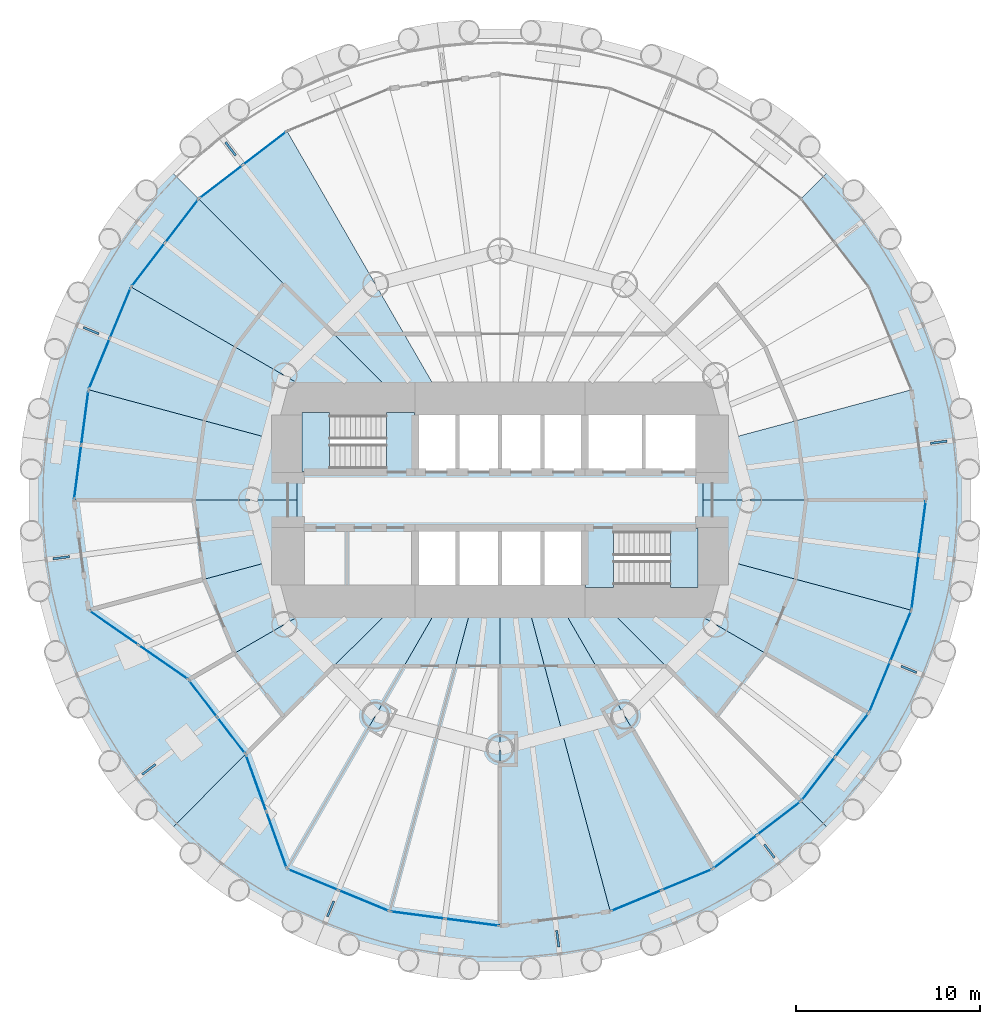
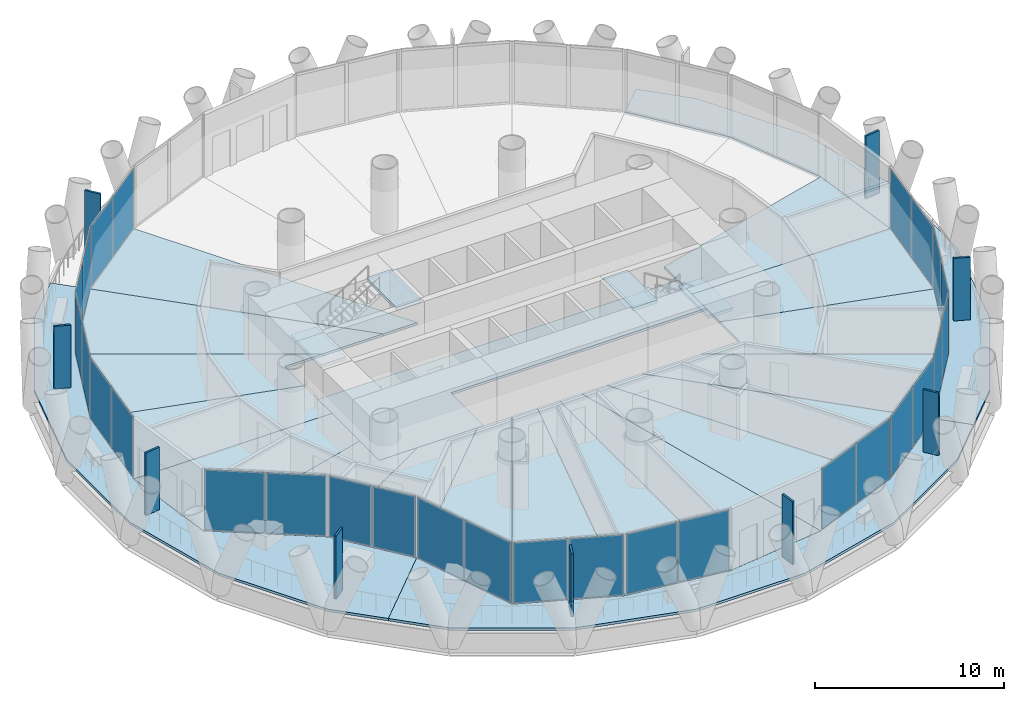
# One storey, part 7 of 14: 37 plates, 25 slabs, 16 elements without a shape of their own.
"""IFC4 building model written with IfcOpenShell, lengths in metres."""

from ifc_helpers import new_model, si_unit, direction, frame, origin, origin_2d, place, context, subcontext, project, spatial, polyline, rectangle, outline, extrude, material, layer, layer_set, type_object, element, aggregate, save


model = new_model("IFC4")

# Units and contexts
model_context = context("Model", 3, precision=1e-05, world=origin(), true_north=direction((0.0, 1.0)))
body_context = subcontext(model_context, "Body", "Model", "MODEL_VIEW")
ifc_project = project(units=[si_unit("LENGTHUNIT", "METRE"), si_unit("AREAUNIT", "SQUARE_METRE"), si_unit("VOLUMEUNIT", "CUBIC_METRE"), si_unit("PLANEANGLEUNIT", "RADIAN"), si_unit("MASSUNIT", "GRAM", prefix="KILO")], contexts=[model_context])

# Site, building, storey
site_placement = place(None, origin())
site = spatial("IfcSite", under=ifc_project, at=site_placement, CompositionType="ELEMENT")
building_placement = place(site_placement, origin())
building = spatial("IfcBuilding", under=site, at=building_placement, Name="Qaws Media Tower", CompositionType="ELEMENT")
storey_placement = place(building_placement, frame((0.0, 0.0, 84.800048828125)))
storey = spatial("IfcBuildingStorey", under=building, at=storey_placement, Name="L18", CompositionType="ELEMENT", Elevation=84.800048828125)

# Slabs
ifc_material_1 = material(Name="Concrete C35/45", Category="concrete")
ifc_layer_1 = layer(ifc_material_1, 0.159912109375)
ifc_layer_set_1 = layer_set([ifc_layer_1], Name="Composite balcony slab 160")
slab_type_1 = type_object("IfcSlabType", Name="Composite balcony slab 160", PredefinedType="FLOOR", material=ifc_layer_set_1)
slab_1_placement = place(storey_placement, frame((0.0, 0.0, -0.16015625)))
element("IfcSlab", 1, at=slab_1_placement, inside=storey, type_object=slab_type_1, Name="S2 balcony slab L18 R10 to R16, movement joints on R10 and R16", PredefinedType="FLOOR", context=body_context, shape_type="SweptSolid", body=[
    extrude(outline(polyline([(39.76953125, 34.4765625), (36.441162109375, 40.24169921875), (34.71826171875, 46.671630859375), (34.71826171875, 53.328369140625), (36.441162109375, 59.75830078125), (39.76953125, 65.5234375), (42.123046875, 67.876953125), (43.665771484375, 66.334228515625), (39.994873046875, 61.550048828125), (37.68701171875, 55.978759765625), (36.89990234375, 50.0), (37.68701171875, 44.021240234375), (43.112548828125, 40.25), (46.21142578125, 36.21142578125), (42.123046875, 32.123046875), (39.76953125, 34.4765625)])), origin(), (0.0, 0.0, 1.0), 0.16015625),
])
slab_2_placement = place(storey_placement, frame((0.0, 0.0, -0.16015625)))
element("IfcSlab", 2, at=slab_2_placement, inside=storey, type_object=slab_type_1, Name="S2 balcony slab L18 R16 to R22, movement joints on R16 and R22", PredefinedType="FLOOR", context=body_context, shape_type="SweptSolid", body=[
    extrude(outline(polyline([(75.5234375, 29.76953125), (69.75830078125, 26.441162109375), (63.328369140625, 24.71826171875), (56.671630859375, 24.71826171875), (50.24169921875, 26.441162109375), (44.4765625, 29.76953125), (42.123046875, 32.123046875), (46.21142578125, 36.21142578125), (48.449951171875, 29.994873046875), (54.021240234375, 27.68701171875), (60.0, 26.89990234375), (65.978759765625, 27.68701171875), (71.550048828125, 29.994873046875), (76.334228515625, 33.665771484375), (77.876953125, 32.123046875), (75.5234375, 29.76953125)])), origin(), (0.0, 0.0, 1.0), 0.16015625),
])
slab_3_placement = place(storey_placement, frame((0.0, 0.0, -0.16015625)))
element("IfcSlab", 3, at=slab_3_placement, inside=storey, type_object=slab_type_1, Name="S2 balcony slab L18 R22 to R04, movement joints on R22 and R04", PredefinedType="FLOOR", context=body_context, shape_type="SweptSolid", body=[
    extrude(outline(polyline([(83.558837890625, 40.24169921875), (80.23046875, 34.4765625), (77.876953125, 32.123046875), (76.334228515625, 33.665771484375), (80.005126953125, 38.449951171875), (82.31298828125, 44.021240234375), (83.10009765625, 50.0), (82.31298828125, 55.978759765625), (80.005126953125, 61.550048828125), (76.334228515625, 66.334228515625), (77.876953125, 67.876953125), (80.23046875, 65.5234375), (83.558837890625, 59.75830078125), (85.28173828125, 53.328369140625), (85.28173828125, 46.671630859375), (83.558837890625, 40.24169921875)])), origin(), (0.0, 0.0, 1.0), 0.16015625),
])
ifc_material_2 = material(Name="Concrete C35/45", Category="concrete")
ifc_layer_2 = layer(ifc_material_2, 0.159912109375)
ifc_layer_set_2 = layer_set([ifc_layer_2], Name="Composite floor slab 160")
slab_type_2 = type_object("IfcSlabType", Name="Composite floor slab 160", PredefinedType="FLOOR", material=ifc_layer_set_2)
slab_4_placement = place(storey_placement, frame((0.0, 0.0, -0.16015625)))
element("IfcSlab", 4, at=slab_4_placement, inside=storey, type_object=slab_type_2, Name="S1 core floor slab L18", PredefinedType="FLOOR", context=body_context, shape_type="SweptSolid", body=[
    extrude(outline(polyline([(71.0, 51.5), (71.0, 48.5), (55.39990234375, 48.5), (55.39990234375, 45.0), (49.0, 45.0), (49.0, 51.5), (71.0, 51.5)])), origin(), (0.0, 0.0, 1.0), 0.16015625),
])
slab_5_placement = place(storey_placement, frame((0.0, 0.0, -0.16015625)))
element("IfcSlab", 5, at=slab_5_placement, inside=storey, type_object=slab_type_2, Name="S1 floor panel L18 on R01+7.5", PredefinedType="FLOOR", context=body_context, shape_type="SweptSolid", body=[
    extrude(outline(polyline([(82.31298828125, 55.978759765625), (83.10009765625, 50.0), (71.0, 50.0), (71.0, 52.947509765625), (82.31298828125, 55.978759765625)])), origin(), (0.0, 0.0, 1.0), 0.16015625),
])
slab_6_placement = place(storey_placement, frame((0.0, 0.0, -0.16015625)))
element("IfcSlab", 6, at=slab_6_placement, inside=storey, type_object=slab_type_2, Name="S1 floor panel L18 on R09+7.5", PredefinedType="FLOOR", context=body_context, shape_type="SweptSolid", body=[
    extrude(outline(polyline([(48.449951171875, 70.005126953125), (57.11328125, 55.0), (55.0, 55.0), (43.665771484375, 66.334228515625), (48.449951171875, 70.005126953125)])), origin(), (0.0, 0.0, 1.0), 0.16015625),
])
slab_7_placement = place(storey_placement, frame((0.0, 0.0, -0.16015625)))
element("IfcSlab", 7, at=slab_7_placement, inside=storey, type_object=slab_type_2, Name="S1 floor panel L18 on R10+7.5", PredefinedType="FLOOR", context=body_context, shape_type="SweptSolid", body=[
    extrude(outline(polyline([(39.994873046875, 61.550048828125), (43.665771484375, 66.334228515625), (55.0, 55.0), (51.339599609375, 55.0), (39.994873046875, 61.550048828125)])), origin(), (0.0, 0.0, 1.0), 0.16015625),
])
slab_8_placement = place(storey_placement, frame((0.0, 0.0, -0.16015625)))
element("IfcSlab", 8, at=slab_8_placement, inside=storey, type_object=slab_type_2, Name="S1 floor panel L18 on R11+7.5", PredefinedType="FLOOR", context=body_context, shape_type="SweptSolid", body=[
    extrude(outline(polyline([(37.68701171875, 55.978759765625), (39.994873046875, 61.550048828125), (51.339599609375, 55.0), (49.0, 55.0), (49.0, 52.947509765625), (37.68701171875, 55.978759765625)])), origin(), (0.0, 0.0, 1.0), 0.16015625),
])
slab_9_placement = place(storey_placement, frame((0.0, 0.0, -0.16015625)))
element("IfcSlab", 9, at=slab_9_placement, inside=storey, type_object=slab_type_2, Name="S1 floor panel L18 on R12+7.5", PredefinedType="FLOOR", context=body_context, shape_type="SweptSolid", body=[
    extrude(outline(polyline([(37.68701171875, 55.978759765625), (49.0, 52.947509765625), (49.0, 50.0), (36.89990234375, 50.0), (37.68701171875, 55.978759765625)])), origin(), (0.0, 0.0, 1.0), 0.16015625),
])
slab_10_placement = place(storey_placement, frame((0.0, 0.0, -0.16015625)))
element("IfcSlab", 10, at=slab_10_placement, inside=storey, type_object=slab_type_2, Name="S1 floor panel L18 on R13+7.5", PredefinedType="FLOOR", context=body_context, shape_type="SweptSolid", body=[
    extrude(outline(polyline([(37.68701171875, 44.021240234375), (36.89990234375, 50.0), (49.0, 50.0), (49.0, 47.052490234375), (37.68701171875, 44.021240234375)])), origin(), (0.0, 0.0, 1.0), 0.16015625),
])
slab_11_placement = place(storey_placement, frame((0.0, 0.0, -0.16015625)))
element("IfcSlab", 11, at=slab_11_placement, inside=storey, type_object=slab_type_2, Name="S1 floor panel L18 on R14+7.5", PredefinedType="FLOOR", context=body_context, shape_type="SweptSolid", body=[
    extrude(outline(polyline([(37.68701171875, 44.021240234375), (49.0, 47.052490234375), (49.0, 45.0), (51.339599609375, 45.0), (43.112548828125, 40.25), (37.68701171875, 44.021240234375)])), origin(), (0.0, 0.0, 1.0), 0.16015625),
])
slab_12_placement = place(storey_placement, frame((0.0, 0.0, -0.16015625)))
element("IfcSlab", 12, at=slab_12_placement, inside=storey, type_object=slab_type_2, Name="S1 floor panel L18 on R15+7.5", PredefinedType="FLOOR", context=body_context, shape_type="SweptSolid", body=[
    extrude(outline(polyline([(43.112548828125, 40.25), (51.339599609375, 45.0), (55.0, 45.0), (46.21142578125, 36.21142578125), (43.112548828125, 40.25)])), origin(), (0.0, 0.0, 1.0), 0.16015625),
])
slab_13_placement = place(storey_placement, frame((0.0, 0.0, -0.16015625)))
element("IfcSlab", 13, at=slab_13_placement, inside=storey, type_object=slab_type_2, Name="S1 floor panel L18 on R16+7.5", PredefinedType="FLOOR", context=body_context, shape_type="SweptSolid", body=[
    extrude(outline(polyline([(46.21142578125, 36.21142578125), (55.0, 45.0), (57.11328125, 45.0), (48.449951171875, 29.994873046875), (46.21142578125, 36.21142578125)])), origin(), (0.0, 0.0, 1.0), 0.16015625),
])
slab_14_placement = place(storey_placement, frame((0.0, 0.0, -0.16015625)))
element("IfcSlab", 14, at=slab_14_placement, inside=storey, type_object=slab_type_2, Name="S1 floor panel L18 on R17+7.5", PredefinedType="FLOOR", context=body_context, shape_type="SweptSolid", body=[
    extrude(outline(polyline([(48.449951171875, 29.994873046875), (57.11328125, 45.0), (58.660400390625, 45.0), (54.021240234375, 27.68701171875), (48.449951171875, 29.994873046875)])), origin(), (0.0, 0.0, 1.0), 0.16015625),
])
slab_15_placement = place(storey_placement, frame((0.0, 0.0, -0.16015625)))
element("IfcSlab", 15, at=slab_15_placement, inside=storey, type_object=slab_type_2, Name="S1 floor panel L18 on R18+7.5", PredefinedType="FLOOR", context=body_context, shape_type="SweptSolid", body=[
    extrude(outline(polyline([(54.021240234375, 27.68701171875), (58.660400390625, 45.0), (60.0, 45.0), (60.0, 26.89990234375), (54.021240234375, 27.68701171875)])), origin(), (0.0, 0.0, 1.0), 0.16015625),
])
slab_16_placement = place(storey_placement, frame((0.0, 0.0, -0.16015625)))
element("IfcSlab", 16, at=slab_16_placement, inside=storey, type_object=slab_type_2, Name="S1 floor panel L18 on R19+7.5", PredefinedType="FLOOR", context=body_context, shape_type="SweptSolid", body=[
    extrude(outline(polyline([(65.978759765625, 27.68701171875), (60.0, 26.89990234375), (60.0, 45.0), (61.339599609375, 45.0), (65.978759765625, 27.68701171875)])), origin(), (0.0, 0.0, 1.0), 0.16015625),
])
slab_17_placement = place(storey_placement, frame((0.0, 0.0, -0.16015625)))
element("IfcSlab", 17, at=slab_17_placement, inside=storey, type_object=slab_type_2, Name="S1 floor panel L18 on R20+7.5", PredefinedType="FLOOR", context=body_context, shape_type="SweptSolid", body=[
    extrude(outline(polyline([(71.550048828125, 29.994873046875), (65.978759765625, 27.68701171875), (61.339599609375, 45.0), (62.88671875, 45.0), (71.550048828125, 29.994873046875)])), origin(), (0.0, 0.0, 1.0), 0.16015625),
])
slab_18_placement = place(storey_placement, frame((0.0, 0.0, -0.16015625)))
element("IfcSlab", 18, at=slab_18_placement, inside=storey, type_object=slab_type_2, Name="S1 floor panel L18 on R21+7.5", PredefinedType="FLOOR", context=body_context, shape_type="SweptSolid", body=[
    extrude(outline(polyline([(76.334228515625, 33.665771484375), (71.550048828125, 29.994873046875), (62.88671875, 45.0), (65.0, 45.0), (76.334228515625, 33.665771484375)])), origin(), (0.0, 0.0, 1.0), 0.16015625),
])
slab_19_placement = place(storey_placement, frame((0.0, 0.0, -0.16015625)))
element("IfcSlab", 19, at=slab_19_placement, inside=storey, type_object=slab_type_2, Name="S1 floor panel L18 on R22+7.5", PredefinedType="FLOOR", context=body_context, shape_type="SweptSolid", body=[
    extrude(outline(polyline([(76.334228515625, 33.665771484375), (65.0, 45.0), (68.660400390625, 45.0), (80.005126953125, 38.449951171875), (76.334228515625, 33.665771484375)])), origin(), (0.0, 0.0, 1.0), 0.16015625),
])
slab_20_placement = place(storey_placement, frame((0.0, 0.0, -0.16015625)))
element("IfcSlab", 20, at=slab_20_placement, inside=storey, type_object=slab_type_2, Name="S1 floor panel L18 on R23+7.5", PredefinedType="FLOOR", context=body_context, shape_type="SweptSolid", body=[
    extrude(outline(polyline([(82.31298828125, 44.021240234375), (80.005126953125, 38.449951171875), (68.660400390625, 45.0), (71.0, 45.0), (71.0, 47.052490234375), (82.31298828125, 44.021240234375)])), origin(), (0.0, 0.0, 1.0), 0.16015625),
])
slab_21_placement = place(storey_placement, frame((0.0, 0.0, -0.16015625)))
element("IfcSlab", 21, at=slab_21_placement, inside=storey, type_object=slab_type_2, Name="S1 floor panel L18 on R24+7.5", PredefinedType="FLOOR", context=body_context, shape_type="SweptSolid", body=[
    extrude(outline(polyline([(82.31298828125, 44.021240234375), (71.0, 47.052490234375), (71.0, 50.0), (83.10009765625, 50.0), (82.31298828125, 44.021240234375)])), origin(), (0.0, 0.0, 1.0), 0.16015625),
])

# Curtain wall, plates
ifc_material_3 = material(Name="Aluminium and clear glass", Category="aluminium")
curtain_wall_type_1 = type_object("IfcCurtainWallType", Name="Unitised curtain wall CW-A", PredefinedType="NOTDEFINED", material=ifc_material_3)
curtain_wall_1_placement = place(storey_placement, origin())
curtain_wall_1 = element("IfcCurtainWall", 22, at=curtain_wall_1_placement, inside=storey, type_object=curtain_wall_type_1, Name="CWA curtain wall L18-09", PredefinedType="NOTDEFINED")
ifc_material_4 = material(Name="Clear laminated double glazing", Category="glass")
ifc_layer_3 = layer(ifc_material_4, 0.031982421875)
ifc_layer_set_3 = layer_set([ifc_layer_3], Name="Curtain wall glass unit 32")
plate_type_1 = type_object("IfcPlateType", Name="Curtain wall glass unit 32", PredefinedType="CURTAIN_PANEL", material=ifc_layer_set_3)
plate_1_placement = place(storey_placement, frame((47.238037109375, 69.0751953125, 0.080078125), z_axis=(0.0, 0.0, 1.0), x_axis=(-0.79335337666, -0.608761381612, 0.0)))
plate_1 = element("IfcPlate", 23, at=plate_1_placement, type_object=plate_type_1, Name="CWA panel 1.1", PredefinedType="CURTAIN_PANEL", context=body_context, shape_type="SweptSolid", body=[
    extrude(rectangle(XDim=2.895263671875, YDim=0.031982421875, at=origin_2d()), origin(), (0.0, 0.0, 1.0), 3.8798828125),
])
plate_2_placement = place(storey_placement, frame((44.877685546875, 67.26416015625, 0.080078125), z_axis=(0.0, 0.0, 1.0), x_axis=(-0.79335337666, -0.608761381612, 0.0)))
plate_2 = element("IfcPlate", 24, at=plate_2_placement, type_object=plate_type_1, Name="CWA panel 2.1", PredefinedType="CURTAIN_PANEL", context=body_context, shape_type="SweptSolid", body=[
    extrude(rectangle(XDim=2.895263671875, YDim=0.031982421875, at=origin_2d()), origin(), (0.0, 0.0, 1.0), 3.8798828125),
])
aggregate(curtain_wall_1, [plate_1, plate_2])

curtain_wall_2_placement = place(storey_placement, origin())
curtain_wall_2 = element("IfcCurtainWall", 25, at=curtain_wall_2_placement, inside=storey, type_object=curtain_wall_type_1, Name="CWA curtain wall L18-10", PredefinedType="NOTDEFINED")
plate_3_placement = place(storey_placement, frame((42.73583984375, 65.122314453125, 0.080078125), z_axis=(0.0, 0.0, 1.0), x_axis=(-0.608761381612, -0.79335337666, 0.0)))
plate_3 = element("IfcPlate", 26, at=plate_3_placement, type_object=plate_type_1, Name="CWA panel 1.1", PredefinedType="CURTAIN_PANEL", context=body_context, shape_type="SweptSolid", body=[
    extrude(rectangle(XDim=2.895263671875, YDim=0.031982421875, at=origin_2d()), origin(), (0.0, 0.0, 1.0), 3.8798828125),
])
plate_4_placement = place(storey_placement, frame((40.9248046875, 62.761962890625, 0.080078125), z_axis=(0.0, 0.0, 1.0), x_axis=(-0.608761381612, -0.79335337666, 0.0)))
plate_4 = element("IfcPlate", 27, at=plate_4_placement, type_object=plate_type_1, Name="CWA panel 2.1", PredefinedType="CURTAIN_PANEL", context=body_context, shape_type="SweptSolid", body=[
    extrude(rectangle(XDim=2.895263671875, YDim=0.031982421875, at=origin_2d()), origin(), (0.0, 0.0, 1.0), 3.8798828125),
])
aggregate(curtain_wall_2, [plate_3, plate_4])

curtain_wall_3_placement = place(storey_placement, origin())
curtain_wall_3 = element("IfcCurtainWall", 28, at=curtain_wall_3_placement, inside=storey, type_object=curtain_wall_type_1, Name="CWA curtain wall L18-11", PredefinedType="NOTDEFINED")
plate_5_placement = place(storey_placement, frame((39.41015625, 60.138671875, 0.080078125), z_axis=(0.0, 0.0, 1.0), x_axis=(-0.382683469758, -0.923879517022, 0.0)))
plate_5 = element("IfcPlate", 29, at=plate_5_placement, type_object=plate_type_1, Name="CWA panel 1.1", PredefinedType="CURTAIN_PANEL", context=body_context, shape_type="SweptSolid", body=[
    extrude(rectangle(XDim=2.895263671875, YDim=0.031982421875, at=origin_2d()), origin(), (0.0, 0.0, 1.0), 3.8798828125),
])
plate_6_placement = place(storey_placement, frame((38.271728515625, 57.39013671875, 0.080078125), z_axis=(0.0, 0.0, 1.0), x_axis=(-0.382683469758, -0.923879517022, 0.0)))
plate_6 = element("IfcPlate", 30, at=plate_6_placement, type_object=plate_type_1, Name="CWA panel 2.1", PredefinedType="CURTAIN_PANEL", context=body_context, shape_type="SweptSolid", body=[
    extrude(rectangle(XDim=2.895263671875, YDim=0.031982421875, at=origin_2d()), origin(), (0.0, 0.0, 1.0), 3.8798828125),
])
aggregate(curtain_wall_3, [plate_5, plate_6])

curtain_wall_4_placement = place(storey_placement, origin())
curtain_wall_4 = element("IfcCurtainWall", 31, at=curtain_wall_4_placement, inside=storey, type_object=curtain_wall_type_1, Name="CWA curtain wall L18-12", PredefinedType="NOTDEFINED")
plate_7_placement = place(storey_placement, frame((37.48779296875, 54.464111328125, 0.080078125), z_axis=(0.0, 0.0, 1.0), x_axis=(-0.130526123696, -0.991444870395, 0.0)))
plate_7 = element("IfcPlate", 32, at=plate_7_placement, type_object=plate_type_1, Name="CWA panel 1.1", PredefinedType="CURTAIN_PANEL", context=body_context, shape_type="SweptSolid", body=[
    extrude(rectangle(XDim=2.895263671875, YDim=0.031982421875, at=origin_2d()), origin(), (0.0, 0.0, 1.0), 3.8798828125),
])
plate_8_placement = place(storey_placement, frame((37.099365234375, 51.514404296875, 0.080078125), z_axis=(0.0, 0.0, 1.0), x_axis=(-0.130526123696, -0.991444870395, 0.0)))
plate_8 = element("IfcPlate", 33, at=plate_8_placement, type_object=plate_type_1, Name="CWA panel 2.1", PredefinedType="CURTAIN_PANEL", context=body_context, shape_type="SweptSolid", body=[
    extrude(rectangle(XDim=2.895263671875, YDim=0.031982421875, at=origin_2d()), origin(), (0.0, 0.0, 1.0), 3.8798828125),
])
aggregate(curtain_wall_4, [plate_7, plate_8])

ifc_material_5 = material(Name="Aluminium and clear glass", Category="aluminium")
curtain_wall_type_2 = type_object("IfcCurtainWallType", Name="Loggia curtain wall CW-G", PredefinedType="NOTDEFINED", material=ifc_material_5)
curtain_wall_5_placement = place(storey_placement, origin())
curtain_wall_5 = element("IfcCurtainWall", 34, at=curtain_wall_5_placement, inside=storey, type_object=curtain_wall_type_2, Name="CWG curtain wall L18-14", PredefinedType="NOTDEFINED")
plate_9_placement = place(storey_placement, frame((39.059814453125, 43.067138671875, 0.080078125), z_axis=(0.0, 0.0, 1.0), x_axis=(0.821111308902, -0.570768095108, 0.0)))
plate_9 = element("IfcPlate", 35, at=plate_9_placement, type_object=plate_type_1, Name="CWG panel 1.1", PredefinedType="CURTAIN_PANEL", context=body_context, shape_type="SweptSolid", body=[
    extrude(rectangle(XDim=3.18359375, YDim=0.031982421875, at=origin_2d()), origin(), (0.0, 0.0, 1.0), 3.8798828125),
])
plate_10_placement = place(storey_placement, frame((41.73974609375, 41.204345703125, 0.080078125), z_axis=(0.0, 0.0, 1.0), x_axis=(0.821111308902, -0.570768095108, 0.0)))
plate_10 = element("IfcPlate", 36, at=plate_10_placement, type_object=plate_type_1, Name="CWG panel 2.1", PredefinedType="CURTAIN_PANEL", context=body_context, shape_type="SweptSolid", body=[
    extrude(rectangle(XDim=3.18359375, YDim=0.031982421875, at=origin_2d()), origin(), (0.0, 0.0, 1.0), 3.8798828125),
])
aggregate(curtain_wall_5, [plate_9, plate_10])

curtain_wall_6_placement = place(storey_placement, origin())
curtain_wall_6 = element("IfcCurtainWall", 37, at=curtain_wall_6_placement, inside=storey, type_object=curtain_wall_type_2, Name="CWG curtain wall L18-15", PredefinedType="NOTDEFINED")
plate_11_placement = place(storey_placement, frame((43.8994140625, 39.224609375, 0.080078125), z_axis=(0.0, 0.0, 1.0), x_axis=(0.60876143373, -0.793353336668, 0.0)))
plate_11 = element("IfcPlate", 38, at=plate_11_placement, type_object=plate_type_1, Name="CWG panel 1.1", PredefinedType="CURTAIN_PANEL", context=body_context, shape_type="SweptSolid", body=[
    extrude(rectangle(XDim=2.42529296875, YDim=0.031982421875, at=origin_2d()), origin(), (0.0, 0.0, 1.0), 3.8798828125),
])
plate_12_placement = place(storey_placement, frame((45.424560546875, 37.23681640625, 0.080078125), z_axis=(0.0, 0.0, 1.0), x_axis=(0.60876143373, -0.793353336668, 0.0)))
plate_12 = element("IfcPlate", 39, at=plate_12_placement, type_object=plate_type_1, Name="CWG panel 2.1", PredefinedType="CURTAIN_PANEL", context=body_context, shape_type="SweptSolid", body=[
    extrude(rectangle(XDim=2.42529296875, YDim=0.031982421875, at=origin_2d()), origin(), (0.0, 0.0, 1.0), 3.8798828125),
])
aggregate(curtain_wall_6, [plate_11, plate_12])

curtain_wall_7_placement = place(storey_placement, origin())
curtain_wall_7 = element("IfcCurtainWall", 40, at=curtain_wall_7_placement, inside=storey, type_object=curtain_wall_type_2, Name="CWG curtain wall L18-16", PredefinedType="NOTDEFINED")
plate_13_placement = place(storey_placement, frame((46.77783203125, 34.638427734375, 0.080078125), z_axis=(0.0, 0.0, 1.0), x_axis=(0.338800418913, -0.940858265705, 0.0)))
plate_13 = element("IfcPlate", 41, at=plate_13_placement, type_object=plate_type_1, Name="CWG panel 1.1", PredefinedType="CURTAIN_PANEL", context=body_context, shape_type="SweptSolid", body=[
    extrude(rectangle(XDim=3.18359375, YDim=0.031982421875, at=origin_2d()), origin(), (0.0, 0.0, 1.0), 3.8798828125),
])
plate_14_placement = place(storey_placement, frame((47.883544921875, 31.56787109375, 0.080078125), z_axis=(0.0, 0.0, 1.0), x_axis=(0.338800418913, -0.940858265705, 0.0)))
plate_14 = element("IfcPlate", 42, at=plate_14_placement, type_object=plate_type_1, Name="CWG panel 2.1", PredefinedType="CURTAIN_PANEL", context=body_context, shape_type="SweptSolid", body=[
    extrude(rectangle(XDim=3.18359375, YDim=0.031982421875, at=origin_2d()), origin(), (0.0, 0.0, 1.0), 3.8798828125),
])
aggregate(curtain_wall_7, [plate_13, plate_14])

curtain_wall_8_placement = place(storey_placement, origin())
curtain_wall_8 = element("IfcCurtainWall", 43, at=curtain_wall_8_placement, inside=storey, type_object=curtain_wall_type_1, Name="CWA curtain wall L18-17", PredefinedType="NOTDEFINED")
plate_15_placement = place(storey_placement, frame((49.861328125, 29.41015625, 0.080078125), z_axis=(0.0, 0.0, 1.0), x_axis=(0.923879517022, -0.382683469758, 0.0)))
plate_15 = element("IfcPlate", 44, at=plate_15_placement, type_object=plate_type_1, Name="CWA panel 1.1", PredefinedType="CURTAIN_PANEL", context=body_context, shape_type="SweptSolid", body=[
    extrude(rectangle(XDim=2.895263671875, YDim=0.031982421875, at=origin_2d()), origin(), (0.0, 0.0, 1.0), 3.8798828125),
])
plate_16_placement = place(storey_placement, frame((52.60986328125, 28.271728515625, 0.080078125), z_axis=(0.0, 0.0, 1.0), x_axis=(0.923879517022, -0.382683469758, 0.0)))
plate_16 = element("IfcPlate", 45, at=plate_16_placement, type_object=plate_type_1, Name="CWA panel 2.1", PredefinedType="CURTAIN_PANEL", context=body_context, shape_type="SweptSolid", body=[
    extrude(rectangle(XDim=2.895263671875, YDim=0.031982421875, at=origin_2d()), origin(), (0.0, 0.0, 1.0), 3.8798828125),
])
aggregate(curtain_wall_8, [plate_15, plate_16])

curtain_wall_9_placement = place(storey_placement, origin())
curtain_wall_9 = element("IfcCurtainWall", 46, at=curtain_wall_9_placement, inside=storey, type_object=curtain_wall_type_1, Name="CWA curtain wall L18-18", PredefinedType="NOTDEFINED")
plate_17_placement = place(storey_placement, frame((55.535888671875, 27.48779296875, 0.080078125), z_axis=(0.0, 0.0, 1.0), x_axis=(0.991444870395, -0.130526123696, 0.0)))
plate_17 = element("IfcPlate", 47, at=plate_17_placement, type_object=plate_type_1, Name="CWA panel 1.1", PredefinedType="CURTAIN_PANEL", context=body_context, shape_type="SweptSolid", body=[
    extrude(rectangle(XDim=2.895263671875, YDim=0.031982421875, at=origin_2d()), origin(), (0.0, 0.0, 1.0), 3.8798828125),
])
plate_18_placement = place(storey_placement, frame((58.485595703125, 27.099365234375, 0.080078125), z_axis=(0.0, 0.0, 1.0), x_axis=(0.991444870395, -0.130526123696, 0.0)))
plate_18 = element("IfcPlate", 48, at=plate_18_placement, type_object=plate_type_1, Name="CWA panel 2.1", PredefinedType="CURTAIN_PANEL", context=body_context, shape_type="SweptSolid", body=[
    extrude(rectangle(XDim=2.895263671875, YDim=0.031982421875, at=origin_2d()), origin(), (0.0, 0.0, 1.0), 3.8798828125),
])
aggregate(curtain_wall_9, [plate_17, plate_18])

curtain_wall_10_placement = place(storey_placement, origin())
curtain_wall_10 = element("IfcCurtainWall", 49, at=curtain_wall_10_placement, inside=storey, type_object=curtain_wall_type_1, Name="CWA curtain wall L18-20", PredefinedType="NOTDEFINED")
plate_19_placement = place(storey_placement, frame((67.39013671875, 28.271728515625, 0.080078125), z_axis=(0.0, 0.0, 1.0), x_axis=(0.923879517022, 0.382683469758, 0.0)))
plate_19 = element("IfcPlate", 50, at=plate_19_placement, type_object=plate_type_1, Name="CWA panel 1.1", PredefinedType="CURTAIN_PANEL", context=body_context, shape_type="SweptSolid", body=[
    extrude(rectangle(XDim=2.895263671875, YDim=0.031982421875, at=origin_2d()), origin(), (0.0, 0.0, 1.0), 3.8798828125),
])
plate_20_placement = place(storey_placement, frame((70.138671875, 29.41015625, 0.080078125), z_axis=(0.0, 0.0, 1.0), x_axis=(0.923879517022, 0.382683469758, 0.0)))
plate_20 = element("IfcPlate", 51, at=plate_20_placement, type_object=plate_type_1, Name="CWA panel 2.1", PredefinedType="CURTAIN_PANEL", context=body_context, shape_type="SweptSolid", body=[
    extrude(rectangle(XDim=2.895263671875, YDim=0.031982421875, at=origin_2d()), origin(), (0.0, 0.0, 1.0), 3.8798828125),
])
aggregate(curtain_wall_10, [plate_19, plate_20])

curtain_wall_11_placement = place(storey_placement, origin())
curtain_wall_11 = element("IfcCurtainWall", 52, at=curtain_wall_11_placement, inside=storey, type_object=curtain_wall_type_1, Name="CWA curtain wall L18-21", PredefinedType="NOTDEFINED")
plate_21_placement = place(storey_placement, frame((72.761962890625, 30.9248046875, 0.080078125), z_axis=(0.0, 0.0, 1.0), x_axis=(0.79335337666, 0.608761381612, 0.0)))
plate_21 = element("IfcPlate", 53, at=plate_21_placement, type_object=plate_type_1, Name="CWA panel 1.1", PredefinedType="CURTAIN_PANEL", context=body_context, shape_type="SweptSolid", body=[
    extrude(rectangle(XDim=2.895263671875, YDim=0.031982421875, at=origin_2d()), origin(), (0.0, 0.0, 1.0), 3.8798828125),
])
plate_22_placement = place(storey_placement, frame((75.122314453125, 32.73583984375, 0.080078125), z_axis=(0.0, 0.0, 1.0), x_axis=(0.79335337666, 0.608761381612, 0.0)))
plate_22 = element("IfcPlate", 54, at=plate_22_placement, type_object=plate_type_1, Name="CWA panel 2.1", PredefinedType="CURTAIN_PANEL", context=body_context, shape_type="SweptSolid", body=[
    extrude(rectangle(XDim=2.895263671875, YDim=0.031982421875, at=origin_2d()), origin(), (0.0, 0.0, 1.0), 3.8798828125),
])
aggregate(curtain_wall_11, [plate_21, plate_22])

curtain_wall_12_placement = place(storey_placement, origin())
curtain_wall_12 = element("IfcCurtainWall", 55, at=curtain_wall_12_placement, inside=storey, type_object=curtain_wall_type_1, Name="CWA curtain wall L18-22", PredefinedType="NOTDEFINED")
plate_23_placement = place(storey_placement, frame((77.26416015625, 34.877685546875, 0.080078125), z_axis=(0.0, 0.0, 1.0), x_axis=(0.608761381612, 0.79335337666, 0.0)))
plate_23 = element("IfcPlate", 56, at=plate_23_placement, type_object=plate_type_1, Name="CWA panel 1.1", PredefinedType="CURTAIN_PANEL", context=body_context, shape_type="SweptSolid", body=[
    extrude(rectangle(XDim=2.895263671875, YDim=0.031982421875, at=origin_2d()), origin(), (0.0, 0.0, 1.0), 3.8798828125),
])
plate_24_placement = place(storey_placement, frame((79.0751953125, 37.238037109375, 0.080078125), z_axis=(0.0, 0.0, 1.0), x_axis=(0.608761381612, 0.79335337666, 0.0)))
plate_24 = element("IfcPlate", 57, at=plate_24_placement, type_object=plate_type_1, Name="CWA panel 2.1", PredefinedType="CURTAIN_PANEL", context=body_context, shape_type="SweptSolid", body=[
    extrude(rectangle(XDim=2.895263671875, YDim=0.031982421875, at=origin_2d()), origin(), (0.0, 0.0, 1.0), 3.8798828125),
])
aggregate(curtain_wall_12, [plate_23, plate_24])

curtain_wall_13_placement = place(storey_placement, origin())
curtain_wall_13 = element("IfcCurtainWall", 58, at=curtain_wall_13_placement, inside=storey, type_object=curtain_wall_type_1, Name="CWA curtain wall L18-23", PredefinedType="NOTDEFINED")
plate_25_placement = place(storey_placement, frame((80.58984375, 39.861328125, 0.080078125), z_axis=(0.0, 0.0, 1.0), x_axis=(0.382683469758, 0.923879517022, 0.0)))
plate_25 = element("IfcPlate", 59, at=plate_25_placement, type_object=plate_type_1, Name="CWA panel 1.1", PredefinedType="CURTAIN_PANEL", context=body_context, shape_type="SweptSolid", body=[
    extrude(rectangle(XDim=2.895263671875, YDim=0.031982421875, at=origin_2d()), origin(), (0.0, 0.0, 1.0), 3.8798828125),
])
plate_26_placement = place(storey_placement, frame((81.728271484375, 42.60986328125, 0.080078125), z_axis=(0.0, 0.0, 1.0), x_axis=(0.382683469758, 0.923879517022, 0.0)))
plate_26 = element("IfcPlate", 60, at=plate_26_placement, type_object=plate_type_1, Name="CWA panel 2.1", PredefinedType="CURTAIN_PANEL", context=body_context, shape_type="SweptSolid", body=[
    extrude(rectangle(XDim=2.895263671875, YDim=0.031982421875, at=origin_2d()), origin(), (0.0, 0.0, 1.0), 3.8798828125),
])
aggregate(curtain_wall_13, [plate_25, plate_26])

curtain_wall_14_placement = place(storey_placement, origin())
curtain_wall_14 = element("IfcCurtainWall", 61, at=curtain_wall_14_placement, inside=storey, type_object=curtain_wall_type_1, Name="CWA curtain wall L18-24", PredefinedType="NOTDEFINED")
plate_27_placement = place(storey_placement, frame((82.51220703125, 45.535888671875, 0.080078125), z_axis=(0.0, 0.0, 1.0), x_axis=(0.130526123696, 0.991444870395, 0.0)))
plate_27 = element("IfcPlate", 62, at=plate_27_placement, type_object=plate_type_1, Name="CWA panel 1.1", PredefinedType="CURTAIN_PANEL", context=body_context, shape_type="SweptSolid", body=[
    extrude(rectangle(XDim=2.895263671875, YDim=0.031982421875, at=origin_2d()), origin(), (0.0, 0.0, 1.0), 3.8798828125),
])
plate_28_placement = place(storey_placement, frame((82.900634765625, 48.485595703125, 0.080078125), z_axis=(0.0, 0.0, 1.0), x_axis=(0.130526123696, 0.991444870395, 0.0)))
plate_28 = element("IfcPlate", 63, at=plate_28_placement, type_object=plate_type_1, Name="CWA panel 2.1", PredefinedType="CURTAIN_PANEL", context=body_context, shape_type="SweptSolid", body=[
    extrude(rectangle(XDim=2.895263671875, YDim=0.031982421875, at=origin_2d()), origin(), (0.0, 0.0, 1.0), 3.8798828125),
])
aggregate(curtain_wall_14, [plate_27, plate_28])

# Plates
ifc_material_6 = material(Name="Precast concrete screen fin", Category="concrete")
ifc_layer_4 = layer(ifc_material_6, 0.1201171875)
ifc_layer_set_4 = layer_set([ifc_layer_4], Name="Screen fin 120x900")
plate_type_2 = type_object("IfcPlateType", Name="Screen fin 120x900", PredefinedType="USERDEFINED", material=ifc_layer_set_4)
for number, where, z_axis, x_axis, name in (
    (64, (83.794677734375, 53.132568359375, 0.0), (0.0, 0.0, 1.0), (0.991444861374, 0.13052619222, 0.0), "SCR1 screen fin L18-01"),
    (65, (45.3896484375, 69.04052734375, 0.0), (0.0, 0.0, 1.0), (-0.608761429009, 0.793353340291, 0.0), "SCR1 screen fin L18-05"),
    (66, (37.826904296875, 59.184326171875, 0.0), (0.0, 0.0, 1.0), (-0.923879532511, 0.382683432365, 0.0), "SCR1 screen fin L18-06"),
    (67, (36.205322265625, 46.867431640625, 0.0), (0.0, 0.0, 1.0), (-0.991444861374, -0.13052619222, 0.0), "SCR1 screen fin L18-07"),
    (68, (40.95947265625, 35.3896484375, 0.0), (0.0, 0.0, 1.0), (-0.793353340291, -0.608761429009, 0.0), "SCR1 screen fin L18-08"),
    (69, (50.815673828125, 27.826904296875, 0.0), (0.0, 0.0, 1.0), (-0.382683432365, -0.923879532511, 0.0), "SCR1 screen fin L18-09"),
    (70, (63.132568359375, 26.205322265625, 0.0), (0.0, 0.0, 1.0), (0.13052619222, -0.991444861374, 0.0), "SCR1 screen fin L18-10"),
    (71, (74.6103515625, 30.95947265625, 0.0), (0.0, 0.0, 1.0), (0.608761429009, -0.793353340291, 0.0), "SCR1 screen fin L18-11"),
    (72, (82.173095703125, 40.815673828125, 0.0), (0.0, 0.0, 1.0), (0.923879532511, -0.382683432365, 0.0), "SCR1 screen fin L18-12"),
):
    element("IfcPlate", number, at=place(storey_placement, frame(where, z_axis=z_axis, x_axis=x_axis)), inside=storey, type_object=plate_type_2, Name=name, ObjectType="SCREEN", PredefinedType="USERDEFINED", context=body_context, shape_type="SweptSolid", body=[
        extrude(rectangle(XDim=0.89990234375, YDim=0.1201171875, at=origin_2d()), origin(), (0.0, 0.0, 1.0), 4.0400390625),
    ])

# Stair, slabs
ifc_material_7 = material(Name="Concrete C40/50", Category="concrete")
stair_type = type_object("IfcStairType", Name="Exit stair", PredefinedType="HALF_TURN_STAIR", material=ifc_material_7)
stair_1_placement = place(storey_placement, origin())
stair_1 = element("IfcStair", 73, at=stair_1_placement, inside=storey, type_object=stair_type, Name="S1 exit stair L18", PredefinedType="HALF_TURN_STAIR")
ifc_material_8 = material(Name="Concrete C40/50", Category="concrete")
ifc_layer_5 = layer(ifc_material_8, 0.199951171875)
ifc_layer_set_5 = layer_set([ifc_layer_5], Name="Stair landing 200")
slab_type_3 = type_object("IfcSlabType", Name="Stair landing 200", PredefinedType="LANDING", material=ifc_layer_set_5)
slab_22_placement = place(storey_placement, frame((0.0, 0.0, 1.89990234375)))
slab_22 = element("IfcSlab", 74, at=slab_22_placement, type_object=slab_type_3, Name="S1 landing 1", PredefinedType="LANDING", context=body_context, shape_type="SweptSolid", body=[
    extrude(outline(polyline([(49.25, 51.550048828125), (50.760009765625, 51.550048828125), (50.760009765625, 54.75), (49.25, 54.75), (49.25, 51.550048828125)])), origin(), (0.0, 0.0, 1.0), 0.199951171875),
])
slab_23_placement = place(storey_placement, frame((0.0, 0.0, 4.0)))
slab_23 = element("IfcSlab", 75, at=slab_23_placement, type_object=slab_type_3, Name="S1 landing 2", PredefinedType="LANDING", context=body_context, shape_type="SweptSolid", body=[
    extrude(outline(polyline([(53.840087890625, 51.550048828125), (55.35009765625, 51.550048828125), (55.35009765625, 54.75), (53.840087890625, 54.75), (53.840087890625, 51.550048828125)])), origin(), (0.0, 0.0, 1.0), 0.199951171875),
])
aggregate(stair_1, [slab_22, slab_23])

stair_2_placement = place(storey_placement, origin())
stair_2 = element("IfcStair", 76, at=stair_2_placement, inside=storey, type_object=stair_type, Name="S2 exit stair L18", PredefinedType="HALF_TURN_STAIR")
slab_24_placement = place(storey_placement, frame((0.0, 0.0, 1.89990234375)))
slab_24 = element("IfcSlab", 77, at=slab_24_placement, type_object=slab_type_3, Name="S2 landing 1", PredefinedType="LANDING", context=body_context, shape_type="SweptSolid", body=[
    extrude(outline(polyline([(69.239990234375, 45.25), (70.75, 45.25), (70.75, 48.449951171875), (69.239990234375, 48.449951171875), (69.239990234375, 45.25)])), origin(), (0.0, 0.0, 1.0), 0.199951171875),
])
slab_25_placement = place(storey_placement, frame((0.0, 0.0, 4.0)))
slab_25 = element("IfcSlab", 78, at=slab_25_placement, type_object=slab_type_3, Name="S2 landing 2", PredefinedType="LANDING", context=body_context, shape_type="SweptSolid", body=[
    extrude(outline(polyline([(64.64990234375, 45.25), (66.159912109375, 45.25), (66.159912109375, 48.449951171875), (64.64990234375, 48.449951171875), (64.64990234375, 45.25)])), origin(), (0.0, 0.0, 1.0), 0.199951171875),
])
aggregate(stair_2, [slab_24, slab_25])

save(model, "model.ifc")
